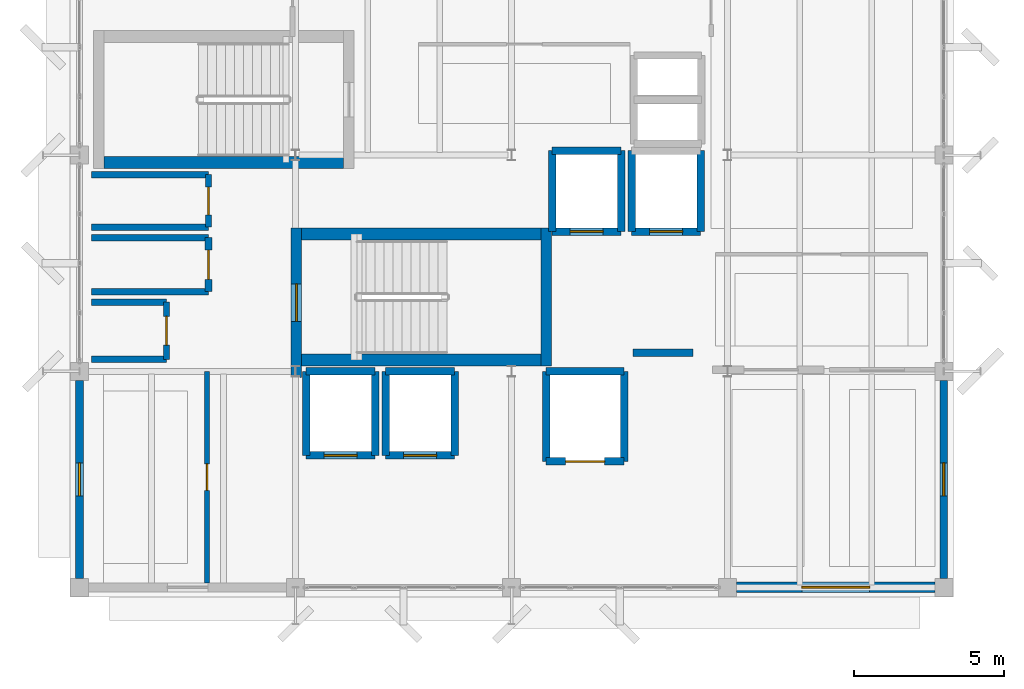
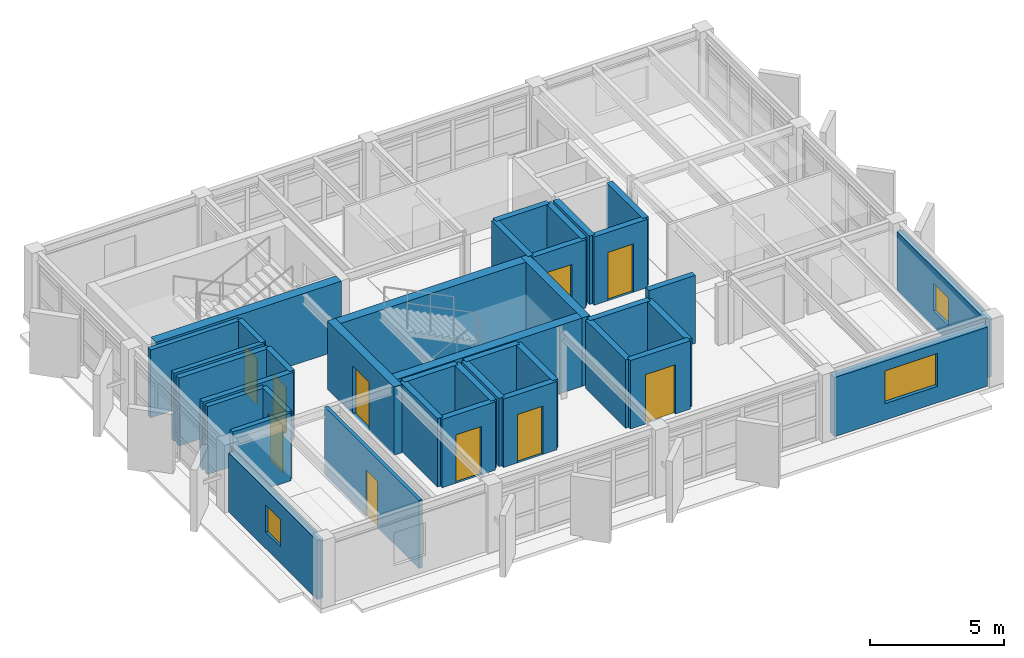
# One storey, part 11 of 15: 38 walls, 10 doors, 3 windows, 13 openings.
"""IFC4 building model written with IfcOpenShell, lengths in metres."""

from ifc_helpers import new_model, si_unit, direction, frame, frame_2d, origin, place, context, subcontext, project, spatial, rectangle, extrude, material, layer, layer_set, type_object, element, fill, save


model = new_model("IFC4")

# Units and contexts
model_context = context("Model", 3, precision=1e-05, world=origin(), true_north=direction((0.0, 1.0)))
body_context = subcontext(model_context, "Body", "Model", "MODEL_VIEW")
ifc_project = project(units=[si_unit("LENGTHUNIT", "METRE"), si_unit("AREAUNIT", "SQUARE_METRE"), si_unit("VOLUMEUNIT", "CUBIC_METRE"), si_unit("PLANEANGLEUNIT", "RADIAN"), si_unit("MASSUNIT", "GRAM", prefix="KILO")], contexts=[model_context])

# Site, building, storey
site_placement = place(None, origin())
site = spatial("IfcSite", under=ifc_project, at=site_placement, CompositionType="ELEMENT")
building_placement = place(site_placement, origin())
building = spatial("IfcBuilding", under=site, at=building_placement, Name="Kandorven Conservatory and Botanical Research Centre", CompositionType="ELEMENT")
storey_placement = place(building_placement, frame((0.0, 0.0, 56.10009765625)))
storey = spatial("IfcBuildingStorey", under=building, at=storey_placement, Name="L14", CompositionType="ELEMENT", Elevation=56.10009765625)

# Walls
ifc_material_1 = material(Name="Concrete C40/50 (M50)", Category="concrete")
ifc_layer_1 = layer(ifc_material_1, 0.39990234375)
ifc_layer_set_1 = layer_set([ifc_layer_1], Name="Concrete C40/50 (M50)")
wall_type_1 = type_object("IfcWallType", Name="Wall_CW-RC-1", PredefinedType="SHEAR", material=ifc_layer_set_1)
for number, where, z_axis, x_axis, name in (
    (1, (13.39990234375, 13.574951171875, 0.0), (0.0, 0.0, 1.0), (1.0, 0.0, 0.0), "Core stair shear wall CW-RC-1 ST-T1 L14 side A"),
    (2, (13.39990234375, 17.77490234375, 0.0), (0.0, 0.0, 1.0), (1.0, 0.0, 0.0), "Core stair shear wall CW-RC-1 ST-T1 L14 side B"),
    (3, (14.800048828125, 20.155029296875, 0.0), (0.0, 0.0, 1.0), (-1.0, 0.0, 0.0), "Core stair shear wall CW-RC-1 ST-T2 L14 side B"),
):
    element("IfcWall", number, at=place(storey_placement, frame(where, z_axis=z_axis, x_axis=x_axis)), inside=storey, type_object=wall_type_1, Name=name, PredefinedType="SHEAR", context=body_context, shape_type="SweptSolid", body=[
        extrude(rectangle(XDim=7.97998046875, YDim=0.39990234375, at=frame_2d((3.989990234375, 0.0))), origin(), (0.0, 0.0, 1.0), 3.114990234375),
    ])

# Wall, opening, door
ifc_material_2 = material(Name="Concrete C40/50 (M50)", Category="concrete")
ifc_layer_2 = layer(ifc_material_2, 0.35009765625)
ifc_layer_set_2 = layer_set([ifc_layer_2], Name="Concrete C40/50 (M50)")
wall_type_2 = type_object("IfcWallType", Name="Wall_CW-RC-2", PredefinedType="SHEAR", material=ifc_layer_set_2)
wall_1_placement = place(storey_placement, frame((13.22509765625, 13.0, 0.0), z_axis=(0.0, 0.0, 1.0), x_axis=(0.0, 1.0, 0.0)))
wall_1 = element("IfcWall", 4, at=wall_1_placement, inside=storey, type_object=wall_type_2, Name="Core stair shear wall CW-RC-2 ST-T1 L14 entry", PredefinedType="SHEAR", context=body_context, shape_type="SweptSolid", body=[
    extrude(rectangle(XDim=4.969970703125, YDim=0.35009765625, at=frame_2d((2.48486328125, 0.0))), origin(), (0.0, 0.0, 1.0), 3.114990234375),
])
opening_1_placement = place(wall_1_placement, frame((1.860107421875, 0.0, 0.0)))
opening_1 = element("IfcOpeningElement", 5, at=opening_1_placement, cuts=wall_1, Name="Opening FD-1", PredefinedType="OPENING", context=body_context, shape_type="SweptSolid", body=[
    extrude(rectangle(XDim=1.25, YDim=2.199951171875, at=frame_2d((0.625, 1.10009765625))), frame((0.0, 0.18505859375, 0.0), z_axis=(0.0, -1.0, 0.0), x_axis=(1.0, 0.0, 0.0)), (0.0, 0.0, 1.0), 0.3701171875),
])
ifc_material_3 = material(Name="Galvanised hollow steel fire door assembly", Category="steel")
door_type_1 = type_object("IfcDoorType", Name="Door_FD-1", OperationType="NOTDEFINED", PredefinedType="DOOR", material=ifc_material_3)
door_1_placement = place(opening_1_placement, origin())
door_1 = element("IfcDoor", 6, at=door_1_placement, inside=storey, type_object=door_type_1, Name="Exit stair fire door FD-1 ST-T1 L14", OperationType="SINGLE_SWING_LEFT", OverallHeight=2.199951171875, OverallWidth=1.25, PredefinedType="DOOR", context=body_context, shape_type="SweptSolid", body=[
    extrude(rectangle(XDim=1.25, YDim=2.199951171875, at=frame_2d((0.625, 1.10009765625))), frame((0.0, 0.02490234375, 0.0), z_axis=(0.0, -1.0, 0.0), x_axis=(1.0, 0.0, 0.0)), (0.0, 0.0, 1.0), 0.050048828125),
])
fill(opening_1, door_1)

# Wall
wall_2_placement = place(storey_placement, frame((21.554931640625, 13.3798828125, 0.0), z_axis=(0.0, 0.0, 1.0), x_axis=(0.0, 1.0, 0.0)))
element("IfcWall", 7, at=wall_2_placement, inside=storey, type_object=wall_type_2, Name="Core stair shear wall CW-RC-2 ST-T1 L14 far", PredefinedType="SHEAR", context=body_context, shape_type="SweptSolid", body=[
    extrude(rectangle(XDim=4.590087890625, YDim=0.35009765625, at=frame_2d((2.294921875, 0.0))), origin(), (0.0, 0.0, 1.0), 3.114990234375),
])

# Wall, opening, door
wall_3_placement = place(storey_placement, frame((21.75, 17.85009765625, 0.0), z_axis=(0.0, 0.0, 1.0), x_axis=(1.0, 0.0, 0.0)))
wall_3 = element("IfcWall", 8, at=wall_3_placement, inside=storey, type_object=wall_type_2, Name="Lift shaft wall FFL-1 L14 S", PredefinedType="SHEAR", context=body_context, shape_type="SweptSolid", body=[
    extrude(rectangle(XDim=2.300048828125, YDim=0.25, at=frame_2d((1.14990234375, 0.0))), origin(), (0.0, 0.0, 1.0), 3.114990234375),
])
opening_2_placement = place(wall_3_placement, frame((0.60009765625, 0.0, 0.0)))
opening_2 = element("IfcOpeningElement", 9, at=opening_2_placement, cuts=wall_3, Name="Opening LD-01", PredefinedType="OPENING", context=body_context, shape_type="SweptSolid", body=[
    extrude(rectangle(XDim=1.10009765625, YDim=2.199951171875, at=frame_2d((0.550048828125, 1.10009765625))), frame((0.0, 0.135009765625, 0.0), z_axis=(0.0, -1.0, 0.0), x_axis=(1.0, 0.0, 0.0)), (0.0, 0.0, 1.0), 0.27001953125),
])
ifc_material_4 = material(Name="Anodised aluminium sliding landing door", Category="aluminium")
door_type_2 = type_object("IfcDoorType", Name="Door_LD-01", OperationType="DOUBLE_DOOR_SLIDING", PredefinedType="DOOR", material=ifc_material_4)
door_2_placement = place(opening_2_placement, origin())
door_2 = element("IfcDoor", 10, at=door_2_placement, inside=storey, type_object=door_type_2, Name="Lift landing sliding door LD-01 (FFL-1 L14)", OperationType="DOUBLE_DOOR_SLIDING", OverallHeight=2.199951171875, OverallWidth=1.10009765625, PredefinedType="DOOR", context=body_context, shape_type="SweptSolid", body=[
    extrude(rectangle(XDim=1.10009765625, YDim=2.199951171875, at=frame_2d((0.550048828125, 1.10009765625))), frame((0.0, 0.02490234375, 0.0), z_axis=(0.0, -1.0, 0.0), x_axis=(1.0, 0.0, 0.0)), (0.0, 0.0, 1.0), 0.050048828125),
])
fill(opening_2, door_2)

# Walls
wall_4_placement = place(storey_placement, frame((21.75, 20.550048828125, 0.0), z_axis=(0.0, 0.0, 1.0), x_axis=(1.0, 0.0, 0.0)))
element("IfcWall", 11, at=wall_4_placement, inside=storey, type_object=wall_type_2, Name="Lift shaft wall FFL-1 L14 N", PredefinedType="SHEAR", context=body_context, shape_type="SweptSolid", body=[
    extrude(rectangle(XDim=2.300048828125, YDim=0.25, at=frame_2d((1.14990234375, 0.0))), origin(), (0.0, 0.0, 1.0), 3.114990234375),
])
for number, where, z_axis, x_axis, name in (
    (12, (21.75, 17.85009765625, 0.0), (0.0, 0.0, 1.0), (0.0, 1.0, 0.0), "Lift shaft wall FFL-1 L14 W"),
    (13, (24.050048828125, 17.85009765625, 0.0), (0.0, 0.0, 1.0), (0.0, 1.0, 0.0), "Lift shaft wall FFL-1 L14 E"),
):
    element("IfcWall", number, at=place(storey_placement, frame(where, z_axis=z_axis, x_axis=x_axis)), inside=storey, type_object=wall_type_2, Name=name, PredefinedType="SHEAR", context=body_context, shape_type="SweptSolid", body=[
        extrude(rectangle(XDim=2.699951171875, YDim=0.25, at=frame_2d((1.35009765625, 0.0))), origin(), (0.0, 0.0, 1.0), 3.114990234375),
    ])

# Wall, opening, door
wall_5_placement = place(storey_placement, frame((24.39990234375, 17.85009765625, 0.0), z_axis=(0.0, 0.0, 1.0), x_axis=(1.0, 0.0, 0.0)))
wall_5 = element("IfcWall", 14, at=wall_5_placement, inside=storey, type_object=wall_type_2, Name="Lift shaft wall FFL-2 L14 S", PredefinedType="SHEAR", context=body_context, shape_type="SweptSolid", body=[
    extrude(rectangle(XDim=2.300048828125, YDim=0.25, at=frame_2d((1.14990234375, 0.0))), origin(), (0.0, 0.0, 1.0), 3.114990234375),
])
opening_3_placement = place(wall_5_placement, frame((0.60009765625, 0.0, 0.0)))
opening_3 = element("IfcOpeningElement", 15, at=opening_3_placement, cuts=wall_5, Name="Opening LD-01", PredefinedType="OPENING", context=body_context, shape_type="SweptSolid", body=[
    extrude(rectangle(XDim=1.10009765625, YDim=2.199951171875, at=frame_2d((0.550048828125, 1.10009765625))), frame((0.0, 0.135009765625, 0.0), z_axis=(0.0, -1.0, 0.0), x_axis=(1.0, 0.0, 0.0)), (0.0, 0.0, 1.0), 0.27001953125),
])
door_3_placement = place(opening_3_placement, origin())
door_3 = element("IfcDoor", 16, at=door_3_placement, inside=storey, type_object=door_type_2, Name="Lift landing sliding door LD-01 (FFL-2 L14)", OperationType="DOUBLE_DOOR_SLIDING", OverallHeight=2.199951171875, OverallWidth=1.10009765625, PredefinedType="DOOR", context=body_context, shape_type="SweptSolid", body=[
    extrude(rectangle(XDim=1.10009765625, YDim=2.199951171875, at=frame_2d((0.550048828125, 1.10009765625))), frame((0.0, 0.02490234375, 0.0), z_axis=(0.0, -1.0, 0.0), x_axis=(1.0, 0.0, 0.0)), (0.0, 0.0, 1.0), 0.050048828125),
])
fill(opening_3, door_3)

# Walls
for number, where, z_axis, x_axis, name in (
    (17, (24.39990234375, 17.85009765625, 0.0), (0.0, 0.0, 1.0), (0.0, 1.0, 0.0), "Lift shaft wall FFL-2 L14 W"),
    (18, (26.699951171875, 17.85009765625, 0.0), (0.0, 0.0, 1.0), (0.0, 1.0, 0.0), "Lift shaft wall FFL-2 L14 E"),
):
    element("IfcWall", number, at=place(storey_placement, frame(where, z_axis=z_axis, x_axis=x_axis)), inside=storey, type_object=wall_type_2, Name=name, PredefinedType="SHEAR", context=body_context, shape_type="SweptSolid", body=[
        extrude(rectangle(XDim=2.699951171875, YDim=0.25, at=frame_2d((1.35009765625, 0.0))), origin(), (0.0, 0.0, 1.0), 3.114990234375),
    ])

# Wall, opening, door
wall_6_placement = place(storey_placement, frame((13.550048828125, 10.39990234375, 0.0), z_axis=(0.0, 0.0, 1.0), x_axis=(1.0, 0.0, 0.0)))
wall_6 = element("IfcWall", 19, at=wall_6_placement, inside=storey, type_object=wall_type_2, Name="Lift shaft wall PL-1 L14 S", PredefinedType="SHEAR", context=body_context, shape_type="SweptSolid", body=[
    extrude(rectangle(XDim=2.300048828125, YDim=0.25, at=frame_2d((1.14990234375, 0.0))), origin(), (0.0, 0.0, 1.0), 3.114990234375),
])
opening_4_placement = place(wall_6_placement, frame((0.60009765625, 0.0, 0.0)))
opening_4 = element("IfcOpeningElement", 20, at=opening_4_placement, cuts=wall_6, Name="Opening LD-01", PredefinedType="OPENING", context=body_context, shape_type="SweptSolid", body=[
    extrude(rectangle(XDim=1.10009765625, YDim=2.199951171875, at=frame_2d((0.550048828125, 1.10009765625))), frame((0.0, 0.135009765625, 0.0), z_axis=(0.0, -1.0, 0.0), x_axis=(1.0, 0.0, 0.0)), (0.0, 0.0, 1.0), 0.27001953125),
])
door_4_placement = place(opening_4_placement, origin())
door_4 = element("IfcDoor", 21, at=door_4_placement, inside=storey, type_object=door_type_2, Name="Lift landing sliding door LD-01 (PL-1 L14)", OperationType="DOUBLE_DOOR_SLIDING", OverallHeight=2.199951171875, OverallWidth=1.10009765625, PredefinedType="DOOR", context=body_context, shape_type="SweptSolid", body=[
    extrude(rectangle(XDim=1.10009765625, YDim=2.199951171875, at=frame_2d((0.550048828125, 1.10009765625))), frame((0.0, 0.02490234375, 0.0), z_axis=(0.0, -1.0, 0.0), x_axis=(1.0, 0.0, 0.0)), (0.0, 0.0, 1.0), 0.050048828125),
])
fill(opening_4, door_4)

# Walls
wall_7_placement = place(storey_placement, frame((13.550048828125, 13.199951171875, 0.0), z_axis=(0.0, 0.0, 1.0), x_axis=(1.0, 0.0, 0.0)))
element("IfcWall", 22, at=wall_7_placement, inside=storey, type_object=wall_type_2, Name="Lift shaft wall PL-1 L14 N", PredefinedType="SHEAR", context=body_context, shape_type="SweptSolid", body=[
    extrude(rectangle(XDim=2.300048828125, YDim=0.25, at=frame_2d((1.14990234375, 0.0))), origin(), (0.0, 0.0, 1.0), 3.114990234375),
])
for number, where, z_axis, x_axis, name in (
    (23, (13.550048828125, 10.39990234375, 0.0), (0.0, 0.0, 1.0), (0.0, 1.0, 0.0), "Lift shaft wall PL-1 L14 W"),
    (24, (15.85009765625, 10.39990234375, 0.0), (0.0, 0.0, 1.0), (0.0, 1.0, 0.0), "Lift shaft wall PL-1 L14 E"),
):
    element("IfcWall", number, at=place(storey_placement, frame(where, z_axis=z_axis, x_axis=x_axis)), inside=storey, type_object=wall_type_2, Name=name, PredefinedType="SHEAR", context=body_context, shape_type="SweptSolid", body=[
        extrude(rectangle(XDim=2.800048828125, YDim=0.25, at=frame_2d((1.39990234375, 0.0))), origin(), (0.0, 0.0, 1.0), 3.114990234375),
    ])

# Wall, opening, door
wall_8_placement = place(storey_placement, frame((16.199951171875, 10.39990234375, 0.0), z_axis=(0.0, 0.0, 1.0), x_axis=(1.0, 0.0, 0.0)))
wall_8 = element("IfcWall", 25, at=wall_8_placement, inside=storey, type_object=wall_type_2, Name="Lift shaft wall PL-2 L14 S", PredefinedType="SHEAR", context=body_context, shape_type="SweptSolid", body=[
    extrude(rectangle(XDim=2.300048828125, YDim=0.25, at=frame_2d((1.14990234375, 0.0))), origin(), (0.0, 0.0, 1.0), 3.114990234375),
])
opening_5_placement = place(wall_8_placement, frame((0.60009765625, 0.0, 0.0)))
opening_5 = element("IfcOpeningElement", 26, at=opening_5_placement, cuts=wall_8, Name="Opening LD-01", PredefinedType="OPENING", context=body_context, shape_type="SweptSolid", body=[
    extrude(rectangle(XDim=1.10009765625, YDim=2.199951171875, at=frame_2d((0.550048828125, 1.10009765625))), frame((0.0, 0.135009765625, 0.0), z_axis=(0.0, -1.0, 0.0), x_axis=(1.0, 0.0, 0.0)), (0.0, 0.0, 1.0), 0.27001953125),
])
door_5_placement = place(opening_5_placement, origin())
door_5 = element("IfcDoor", 27, at=door_5_placement, inside=storey, type_object=door_type_2, Name="Lift landing sliding door LD-01 (PL-2 L14)", OperationType="DOUBLE_DOOR_SLIDING", OverallHeight=2.199951171875, OverallWidth=1.10009765625, PredefinedType="DOOR", context=body_context, shape_type="SweptSolid", body=[
    extrude(rectangle(XDim=1.10009765625, YDim=2.199951171875, at=frame_2d((0.550048828125, 1.10009765625))), frame((0.0, 0.02490234375, 0.0), z_axis=(0.0, -1.0, 0.0), x_axis=(1.0, 0.0, 0.0)), (0.0, 0.0, 1.0), 0.050048828125),
])
fill(opening_5, door_5)

# Walls
wall_9_placement = place(storey_placement, frame((16.199951171875, 13.199951171875, 0.0), z_axis=(0.0, 0.0, 1.0), x_axis=(1.0, 0.0, 0.0)))
element("IfcWall", 28, at=wall_9_placement, inside=storey, type_object=wall_type_2, Name="Lift shaft wall PL-2 L14 N", PredefinedType="SHEAR", context=body_context, shape_type="SweptSolid", body=[
    extrude(rectangle(XDim=2.300048828125, YDim=0.25, at=frame_2d((1.14990234375, 0.0))), origin(), (0.0, 0.0, 1.0), 3.114990234375),
])
for number, where, z_axis, x_axis, name in (
    (29, (16.199951171875, 10.39990234375, 0.0), (0.0, 0.0, 1.0), (0.0, 1.0, 0.0), "Lift shaft wall PL-2 L14 W"),
    (30, (18.5, 10.39990234375, 0.0), (0.0, 0.0, 1.0), (0.0, 1.0, 0.0), "Lift shaft wall PL-2 L14 E"),
):
    element("IfcWall", number, at=place(storey_placement, frame(where, z_axis=z_axis, x_axis=x_axis)), inside=storey, type_object=wall_type_2, Name=name, PredefinedType="SHEAR", context=body_context, shape_type="SweptSolid", body=[
        extrude(rectangle(XDim=2.800048828125, YDim=0.25, at=frame_2d((1.39990234375, 0.0))), origin(), (0.0, 0.0, 1.0), 3.114990234375),
    ])

# Wall, opening, door
wall_10_placement = place(storey_placement, frame((21.550048828125, 10.199951171875, 0.0), z_axis=(0.0, 0.0, 1.0), x_axis=(1.0, 0.0, 0.0)))
wall_10 = element("IfcWall", 31, at=wall_10_placement, inside=storey, type_object=wall_type_2, Name="Lift shaft wall GL-1 L14 S", PredefinedType="SHEAR", context=body_context, shape_type="SweptSolid", body=[
    extrude(rectangle(XDim=2.599853515625, YDim=0.25, at=frame_2d((1.2998046875, 0.0))), origin(), (0.0, 0.0, 1.0), 3.114990234375),
])
opening_6_placement = place(wall_10_placement, frame((0.64990234375, 0.0, 0.0)))
opening_6 = element("IfcOpeningElement", 32, at=opening_6_placement, cuts=wall_10, Name="Opening LD-02", PredefinedType="OPENING", context=body_context, shape_type="SweptSolid", body=[
    extrude(rectangle(XDim=1.300048828125, YDim=2.25, at=frame_2d((0.64990234375, 1.125))), frame((0.0, 0.135009765625, 0.0), z_axis=(0.0, -1.0, 0.0), x_axis=(1.0, 0.0, 0.0)), (0.0, 0.0, 1.0), 0.27001953125),
])
ifc_material_5 = material(Name="Anodised aluminium sliding landing door", Category="aluminium")
door_type_3 = type_object("IfcDoorType", Name="Door_LD-02", OperationType="DOUBLE_DOOR_SLIDING", PredefinedType="DOOR", material=ifc_material_5)
door_6_placement = place(opening_6_placement, origin())
door_6 = element("IfcDoor", 33, at=door_6_placement, inside=storey, type_object=door_type_3, Name="Lift landing sliding door LD-02 (GL-1 L14)", OperationType="DOUBLE_DOOR_SLIDING", OverallHeight=2.25, OverallWidth=1.300048828125, PredefinedType="DOOR", context=body_context, shape_type="SweptSolid", body=[
    extrude(rectangle(XDim=1.300048828125, YDim=2.25, at=frame_2d((0.64990234375, 1.125))), frame((0.0, 0.02490234375, 0.0), z_axis=(0.0, -1.0, 0.0), x_axis=(1.0, 0.0, 0.0)), (0.0, 0.0, 1.0), 0.050048828125),
])
fill(opening_6, door_6)

# Walls
wall_11_placement = place(storey_placement, frame((21.550048828125, 13.199951171875, 0.0), z_axis=(0.0, 0.0, 1.0), x_axis=(1.0, 0.0, 0.0)))
element("IfcWall", 34, at=wall_11_placement, inside=storey, type_object=wall_type_2, Name="Lift shaft wall GL-1 L14 N", PredefinedType="SHEAR", context=body_context, shape_type="SweptSolid", body=[
    extrude(rectangle(XDim=2.599853515625, YDim=0.25, at=frame_2d((1.2998046875, 0.0))), origin(), (0.0, 0.0, 1.0), 3.114990234375),
])
for number, where, z_axis, x_axis, name in (
    (35, (21.550048828125, 10.199951171875, 0.0), (0.0, 0.0, 1.0), (0.0, 1.0, 0.0), "Lift shaft wall GL-1 L14 W"),
    (36, (24.14990234375, 10.199951171875, 0.0), (0.0, 0.0, 1.0), (0.0, 1.0, 0.0), "Lift shaft wall GL-1 L14 E"),
):
    element("IfcWall", number, at=place(storey_placement, frame(where, z_axis=z_axis, x_axis=x_axis)), inside=storey, type_object=wall_type_2, Name=name, PredefinedType="SHEAR", context=body_context, shape_type="SweptSolid", body=[
        extrude(rectangle(XDim=3.0, YDim=0.25, at=frame_2d((1.5, 0.0))), origin(), (0.0, 0.0, 1.0), 3.114990234375),
    ])

# Wall, opening, window
ifc_material_6 = material(Name="Concrete C40/50 (M50)", Category="concrete")
ifc_layer_3 = layer(ifc_material_6, 0.360107421875)
ifc_layer_set_3 = layer_set([ifc_layer_3], Name="Concrete C40/50 (M50)")
wall_type_3 = type_object("IfcWallType", Name="Wall_EW-01", PredefinedType="STANDARD", material=ifc_layer_set_3)
wall_12_placement = place(storey_placement, frame((27.89990234375, 6.0, 0.0), z_axis=(0.0, 0.0, 1.0), x_axis=(1.0, 0.0, 0.0)))
wall_12 = element("IfcWall", 37, at=wall_12_placement, inside=storey, type_object=wall_type_3, Name="Tower concrete facade wall EW-01 S L14", PredefinedType="STANDARD", context=body_context, shape_type="SweptSolid", body=[
    extrude(rectangle(XDim=6.60009765625, YDim=0.360107421875, at=frame_2d((3.300048828125, 0.0))), origin(), (0.0, 0.0, 1.0), 2.69482421875),
])
opening_7_placement = place(wall_12_placement, frame((2.175048828125, 0.0, 0.75)))
opening_7 = element("IfcOpeningElement", 38, at=opening_7_placement, cuts=wall_12, Name="Opening W-43", PredefinedType="OPENING", context=body_context, shape_type="SweptSolid", body=[
    extrude(rectangle(XDim=2.25, YDim=1.5, at=frame_2d((1.125, 0.75))), frame((0.0, 0.18994140625, 0.0), z_axis=(0.0, -1.0, 0.0), x_axis=(1.0, 0.0, 0.0)), (0.0, 0.0, 1.0), 0.380126953125),
])
ifc_material_7 = material(Name="Double-glazed solar-control low-E glass", Category="glass")
window_type_1 = type_object("IfcWindowType", Name="Win_W-43", PartitioningType="DOUBLE_PANEL_VERTICAL", PredefinedType="WINDOW", material=ifc_material_7)
window_1_placement = place(opening_7_placement, origin())
window_1 = element("IfcWindow", 39, at=window_1_placement, inside=storey, type_object=window_type_1, Name="Tower recessed solar window W-43", OverallHeight=1.5, OverallWidth=2.25, PartitioningType="SINGLE_PANEL", PredefinedType="WINDOW", context=body_context, shape_type="SweptSolid", body=[
    extrude(rectangle(XDim=2.25, YDim=1.5, at=frame_2d((1.125, 0.75))), frame((0.0, 0.030029296875, 0.0), z_axis=(0.0, -1.0, 0.0), x_axis=(1.0, 0.0, 0.0)), (0.0, 0.0, 1.0), 0.06005859375),
])
fill(opening_7, window_1)

ifc_material_8 = material(Name="Concrete C32/40 (M40)", Category="concrete")
ifc_layer_4 = layer(ifc_material_8, 0.260009765625)
ifc_layer_set_4 = layer_set([ifc_layer_4], Name="Concrete C32/40 (M40)")
wall_type_4 = type_object("IfcWallType", Name="Wall_EW-06", PredefinedType="STANDARD", material=ifc_layer_set_4)
wall_13_placement = place(storey_placement, frame((6.0, 6.300048828125, 0.0), z_axis=(0.0, 0.0, 1.0), x_axis=(0.0, 1.0, 0.0)))
wall_13 = element("IfcWall", 40, at=wall_13_placement, inside=storey, type_object=wall_type_4, Name="Tower concrete facade wall EW-06 W L14", PredefinedType="STANDARD", context=body_context, shape_type="SweptSolid", body=[
    extrude(rectangle(XDim=6.599853515625, YDim=0.260009765625, at=frame_2d((3.2998046875, 0.0))), origin(), (0.0, 0.0, 1.0), 2.69482421875),
])
opening_8_placement = place(wall_13_placement, frame((2.75, 0.0, 0.75)))
opening_8 = element("IfcOpeningElement", 41, at=opening_8_placement, cuts=wall_13, Name="Opening W-45", PredefinedType="OPENING", context=body_context, shape_type="SweptSolid", body=[
    extrude(rectangle(XDim=1.10009765625, YDim=1.25, at=frame_2d((0.550048828125, 0.625))), frame((0.0, 0.139892578125, 0.0), z_axis=(0.0, -1.0, 0.0), x_axis=(1.0, 0.0, 0.0)), (0.0, 0.0, 1.0), 0.280029296875),
])
ifc_material_9 = material(Name="Double-glazed solar-control low-E glass", Category="glass")
window_type_2 = type_object("IfcWindowType", Name="Win_W-45", PartitioningType="DOUBLE_PANEL_VERTICAL", PredefinedType="WINDOW", material=ifc_material_9)
window_2_placement = place(opening_8_placement, origin())
window_2 = element("IfcWindow", 42, at=window_2_placement, inside=storey, type_object=window_type_2, Name="Tower recessed solar window W-45", OverallHeight=1.25, OverallWidth=1.10009765625, PartitioningType="SINGLE_PANEL", PredefinedType="WINDOW", context=body_context, shape_type="SweptSolid", body=[
    extrude(rectangle(XDim=1.10009765625, YDim=1.25, at=frame_2d((0.550048828125, 0.625))), frame((0.0, 0.030029296875, 0.0), z_axis=(0.0, -1.0, 0.0), x_axis=(1.0, 0.0, 0.0)), (0.0, 0.0, 1.0), 0.06005859375),
])
fill(opening_8, window_2)

wall_14_placement = place(storey_placement, frame((34.800048828125, 6.300048828125, 0.0), z_axis=(0.0, 0.0, 1.0), x_axis=(0.0, 1.0, 0.0)))
wall_14 = element("IfcWall", 43, at=wall_14_placement, inside=storey, type_object=wall_type_4, Name="Tower concrete facade wall EW-06 E L14", PredefinedType="STANDARD", context=body_context, shape_type="SweptSolid", body=[
    extrude(rectangle(XDim=6.599853515625, YDim=0.260009765625, at=frame_2d((3.2998046875, 0.0))), origin(), (0.0, 0.0, 1.0), 2.69482421875),
])
opening_9_placement = place(wall_14_placement, frame((2.75, 0.0, 0.75)))
opening_9 = element("IfcOpeningElement", 44, at=opening_9_placement, cuts=wall_14, Name="Opening W-45", PredefinedType="OPENING", context=body_context, shape_type="SweptSolid", body=[
    extrude(rectangle(XDim=1.10009765625, YDim=1.25, at=frame_2d((0.550048828125, 0.625))), frame((0.0, 0.139892578125, 0.0), z_axis=(0.0, -1.0, 0.0), x_axis=(1.0, 0.0, 0.0)), (0.0, 0.0, 1.0), 0.280029296875),
])
window_3_placement = place(opening_9_placement, origin())
window_3 = element("IfcWindow", 45, at=window_3_placement, inside=storey, type_object=window_type_2, Name="Tower recessed solar window W-45", OverallHeight=1.25, OverallWidth=1.10009765625, PartitioningType="SINGLE_PANEL", PredefinedType="WINDOW", context=body_context, shape_type="SweptSolid", body=[
    extrude(rectangle(XDim=1.10009765625, YDim=1.25, at=frame_2d((0.550048828125, 0.625))), frame((0.0, 0.030029296875, 0.0), z_axis=(0.0, -1.0, 0.0), x_axis=(1.0, 0.0, 0.0)), (0.0, 0.0, 1.0), 0.06005859375),
])
fill(opening_9, window_3)

# Wall, opening, door
ifc_material_10 = material(Name="Autoclaved aerated concrete blockwork masonry", Category="masonry")
ifc_layer_5 = layer(ifc_material_10, 0.157958984375)
ifc_layer_set_5 = layer_set([ifc_layer_5], Name="Autoclaved aerated concrete blockwork masonry")
wall_type_5 = type_object("IfcWallType", Name="Wall_IW-16", PredefinedType="PARTITIONING", material=ifc_layer_set_5)
wall_15_placement = place(storey_placement, frame((10.25, 6.14990234375, 0.0), z_axis=(0.0, 0.0, 1.0), x_axis=(0.0, 1.0, 0.0)))
wall_15 = element("IfcWall", 46, at=wall_15_placement, inside=storey, type_object=wall_type_5, Name="Interior partition wall IW-16 (Herbarium Research Seminar Room L14)", PredefinedType="PARTITIONING", context=body_context, shape_type="SweptSolid", body=[
    extrude(rectangle(XDim=7.050048828125, YDim=0.157958984375, at=frame_2d((3.52490234375, 0.0))), origin(), (0.0, 0.0, 1.0), 3.094970703125),
])
opening_10_placement = place(wall_15_placement, frame((3.0849609375, 0.0, 0.0)))
opening_10 = element("IfcOpeningElement", 47, at=opening_10_placement, cuts=wall_15, Name="Opening D-19", PredefinedType="OPENING", context=body_context, shape_type="SweptSolid", body=[
    extrude(rectangle(XDim=0.8798828125, YDim=2.1201171875, at=frame_2d((0.43994140625, 1.06005859375))), frame((0.0, 0.0888671875, 0.0), z_axis=(0.0, -1.0, 0.0), x_axis=(1.0, 0.0, 0.0)), (0.0, 0.0, 1.0), 0.177978515625),
])
ifc_material_11 = material(Name="Solid core acoustic teak-veneered timber leaf", Category="wood")
door_type_4 = type_object("IfcDoorType", Name="Door_D-19", OperationType="NOTDEFINED", PredefinedType="DOOR", material=ifc_material_11)
door_7_placement = place(opening_10_placement, origin())
door_7 = element("IfcDoor", 48, at=door_7_placement, inside=storey, type_object=door_type_4, Name="Interior door D-19 to Herbarium Research Seminar Room L14", OperationType="SINGLE_SWING_LEFT", OverallHeight=2.1201171875, OverallWidth=0.8798828125, PredefinedType="DOOR", context=body_context, shape_type="SweptSolid", body=[
    extrude(rectangle(XDim=0.8798828125, YDim=2.1201171875, at=frame_2d((0.43994140625, 1.06005859375))), frame((0.0, 0.02490234375, 0.0), z_axis=(0.0, -1.0, 0.0), x_axis=(1.0, 0.0, 0.0)), (0.0, 0.0, 1.0), 0.050048828125),
])
fill(opening_10, door_7)

# Wall
ifc_material_12 = material(Name="Concrete C32/40 (M40)", Category="concrete")
ifc_layer_6 = layer(ifc_material_12, 0.25)
ifc_layer_set_6 = layer_set([ifc_layer_6], Name="Concrete C32/40 (M40)")
wall_type_6 = type_object("IfcWallType", Name="Wall_IW-FR-1", PredefinedType="SOLIDWALL", material=ifc_layer_set_6)
wall_16_placement = place(storey_placement, frame((24.449951171875, 13.820068359375, 0.0), z_axis=(0.0, 0.0, 1.0), x_axis=(1.0, 0.0, 0.0)))
element("IfcWall", 49, at=wall_16_placement, inside=storey, type_object=wall_type_6, Name="Interior fire partition wall IW-FR-1 (Firefighting Lift Lobby L14)", PredefinedType="SOLIDWALL", context=body_context, shape_type="SweptSolid", body=[
    extrude(rectangle(XDim=2.0, YDim=0.25, at=frame_2d((1.0, 0.0))), origin(), (0.0, 0.0, 1.0), 3.094970703125),
])

# Wall, opening, door
ifc_material_13 = material(Name="Autoclaved aerated concrete blockwork masonry", Category="masonry")
ifc_layer_7 = layer(ifc_material_13, 0.22998046875)
ifc_layer_set_7 = layer_set([ifc_layer_7], Name="Autoclaved aerated concrete blockwork masonry")
wall_type_7 = type_object("IfcWallType", Name="Wall_PW-PL-1", PredefinedType="PLUMBINGWALL", material=ifc_layer_set_7)
wall_17_placement = place(storey_placement, frame((10.300048828125, 15.85009765625, 0.0), z_axis=(0.0, 0.0, 1.0), x_axis=(0.0, 1.0, 0.0)))
wall_17 = element("IfcWall", 50, at=wall_17_placement, inside=storey, type_object=wall_type_7, Name="Interior partition wall PW-PL-1 (Staff Female WC L14)", PredefinedType="PLUMBINGWALL", context=body_context, shape_type="SweptSolid", body=[
    extrude(rectangle(XDim=1.7998046875, YDim=0.22998046875, at=frame_2d((0.89990234375, 0.0))), origin(), (0.0, 0.0, 1.0), 3.094970703125),
])
opening_11_placement = place(wall_17_placement, frame((0.409912109375, 0.0, 0.0)))
opening_11 = element("IfcOpeningElement", 51, at=opening_11_placement, cuts=wall_17, Name="Opening D-12", PredefinedType="OPENING", context=body_context, shape_type="SweptSolid", body=[
    extrude(rectangle(XDim=0.97998046875, YDim=2.10009765625, at=frame_2d((0.489990234375, 1.050048828125))), frame((0.0, 0.125, 0.0), z_axis=(0.0, -1.0, 0.0), x_axis=(1.0, 0.0, 0.0)), (0.0, 0.0, 1.0), 0.25),
])
ifc_material_14 = material(Name="Solid core acoustic teak-veneered timber leaf", Category="wood")
door_type_5 = type_object("IfcDoorType", Name="Door_D-12", OperationType="NOTDEFINED", PredefinedType="DOOR", material=ifc_material_14)
door_8_placement = place(opening_11_placement, frame((0.97998046875, 0.0, 0.0), z_axis=(0.0, 0.0, 1.0), x_axis=(-1.0, 0.0, 0.0)))
door_8 = element("IfcDoor", 52, at=door_8_placement, inside=storey, type_object=door_type_5, Name="Interior door D-12 to Staff Female WC L14", OperationType="SINGLE_SWING_RIGHT", OverallHeight=2.10009765625, OverallWidth=0.97998046875, PredefinedType="DOOR", context=body_context, shape_type="SweptSolid", body=[
    extrude(rectangle(XDim=0.97998046875, YDim=2.10009765625, at=frame_2d((0.489990234375, 1.050048828125))), frame((0.0, 0.02490234375, 0.0), z_axis=(0.0, -1.0, 0.0), x_axis=(1.0, 0.0, 0.0)), (0.0, 0.0, 1.0), 0.050048828125),
])
fill(opening_11, door_8)

# Walls
for number, where, z_axis, x_axis, name in (
    (53, (6.39990234375, 15.85009765625, 0.0), (0.0, 0.0, 1.0), (1.0, 0.0, 0.0), "Sanitary enclosure wall PW-PL-1 (Staff Female WC L14 S)"),
    (54, (6.39990234375, 17.64990234375, 0.0), (0.0, 0.0, 1.0), (1.0, 0.0, 0.0), "Sanitary enclosure wall PW-PL-1 (Staff Female WC L14 N)"),
):
    element("IfcWall", number, at=place(storey_placement, frame(where, z_axis=z_axis, x_axis=x_axis)), inside=storey, type_object=wall_type_7, Name=name, PredefinedType="PLUMBINGWALL", context=body_context, shape_type="SweptSolid", body=[
        extrude(rectangle(XDim=3.900146484375, YDim=0.22998046875, at=frame_2d((1.9501953125, 0.0))), origin(), (0.0, 0.0, 1.0), 3.094970703125),
    ])

# Wall, opening, door
ifc_material_15 = material(Name="Autoclaved aerated concrete blockwork masonry", Category="masonry")
ifc_layer_8 = layer(ifc_material_15, 0.205078125)
ifc_layer_set_8 = layer_set([ifc_layer_8], Name="Autoclaved aerated concrete blockwork masonry")
wall_type_8 = type_object("IfcWallType", Name="Wall_PW-PL-2", PredefinedType="PLUMBINGWALL", material=ifc_layer_set_8)
wall_18_placement = place(storey_placement, frame((8.89990234375, 13.60009765625, 0.0), z_axis=(0.0, 0.0, 1.0), x_axis=(0.0, 1.0, 0.0)))
wall_18 = element("IfcWall", 55, at=wall_18_placement, inside=storey, type_object=wall_type_8, Name="Interior partition wall PW-PL-2 (Accessible WC L14)", PredefinedType="PLUMBINGWALL", context=body_context, shape_type="SweptSolid", body=[
    extrude(rectangle(XDim=1.89990234375, YDim=0.205078125, at=frame_2d((0.949951171875, 0.0))), origin(), (0.0, 0.0, 1.0), 3.094970703125),
])
opening_12_placement = place(wall_18_placement, frame((0.47509765625, 0.0, 0.0)))
opening_12 = element("IfcOpeningElement", 56, at=opening_12_placement, cuts=wall_18, Name="Opening D-01", PredefinedType="OPENING", context=body_context, shape_type="SweptSolid", body=[
    extrude(rectangle(XDim=0.949951171875, YDim=2.14990234375, at=frame_2d((0.47509765625, 1.074951171875))), frame((0.0, 0.112548828125, 0.0), z_axis=(0.0, -1.0, 0.0), x_axis=(1.0, 0.0, 0.0)), (0.0, 0.0, 1.0), 0.22509765625),
])
ifc_material_16 = material(Name="Solid core acoustic teak-veneered timber leaf", Category="wood")
door_type_6 = type_object("IfcDoorType", Name="Door_D-01", OperationType="NOTDEFINED", PredefinedType="DOOR", material=ifc_material_16)
door_9_placement = place(opening_12_placement, origin())
door_9 = element("IfcDoor", 57, at=door_9_placement, inside=storey, type_object=door_type_6, Name="Interior door D-01 to Accessible WC L14", OperationType="SINGLE_SWING_LEFT", OverallHeight=2.14990234375, OverallWidth=0.949951171875, PredefinedType="DOOR", context=body_context, shape_type="SweptSolid", body=[
    extrude(rectangle(XDim=0.949951171875, YDim=2.14990234375, at=frame_2d((0.47509765625, 1.074951171875))), frame((0.0, 0.02490234375, 0.0), z_axis=(0.0, -1.0, 0.0), x_axis=(1.0, 0.0, 0.0)), (0.0, 0.0, 1.0), 0.050048828125),
])
fill(opening_12, door_9)

# Walls
for number, where, z_axis, x_axis, name in (
    (58, (6.39990234375, 13.60009765625, 0.0), (0.0, 0.0, 1.0), (1.0, 0.0, 0.0), "Sanitary enclosure wall PW-PL-2 (Accessible WC L14 S)"),
    (59, (6.39990234375, 15.5, 0.0), (0.0, 0.0, 1.0), (1.0, 0.0, 0.0), "Sanitary enclosure wall PW-PL-2 (Accessible WC L14 N)"),
):
    element("IfcWall", number, at=place(storey_placement, frame(where, z_axis=z_axis, x_axis=x_axis)), inside=storey, type_object=wall_type_8, Name=name, PredefinedType="PLUMBINGWALL", context=body_context, shape_type="SweptSolid", body=[
        extrude(rectangle(XDim=2.5, YDim=0.205078125, at=frame_2d((1.25, 0.0))), origin(), (0.0, 0.0, 1.0), 3.094970703125),
    ])

# Wall, opening, door
wall_19_placement = place(storey_placement, frame((10.300048828125, 18.0, 0.0), z_axis=(0.0, 0.0, 1.0), x_axis=(0.0, 1.0, 0.0)))
wall_19 = element("IfcWall", 60, at=wall_19_placement, inside=storey, type_object=wall_type_8, Name="Interior partition wall PW-PL-2 (Staff Male WC L14)", PredefinedType="PLUMBINGWALL", context=body_context, shape_type="SweptSolid", body=[
    extrude(rectangle(XDim=1.75, YDim=0.205078125, at=frame_2d((0.875, 0.0))), origin(), (0.0, 0.0, 1.0), 3.094970703125),
])
opening_13_placement = place(wall_19_placement, frame((0.4150390625, 0.0, 0.0)))
opening_13 = element("IfcOpeningElement", 61, at=opening_13_placement, cuts=wall_19, Name="Opening D-11", PredefinedType="OPENING", context=body_context, shape_type="SweptSolid", body=[
    extrude(rectangle(XDim=0.919921875, YDim=2.10009765625, at=frame_2d((0.4599609375, 1.050048828125))), frame((0.0, 0.112548828125, 0.0), z_axis=(0.0, -1.0, 0.0), x_axis=(1.0, 0.0, 0.0)), (0.0, 0.0, 1.0), 0.22509765625),
])
ifc_material_17 = material(Name="Solid core acoustic teak-veneered timber leaf", Category="wood")
door_type_7 = type_object("IfcDoorType", Name="Door_D-11", OperationType="NOTDEFINED", PredefinedType="DOOR", material=ifc_material_17)
door_10_placement = place(opening_13_placement, origin())
door_10 = element("IfcDoor", 62, at=door_10_placement, inside=storey, type_object=door_type_7, Name="Interior door D-11 to Staff Male WC L14", OperationType="SINGLE_SWING_LEFT", OverallHeight=2.10009765625, OverallWidth=0.919921875, PredefinedType="DOOR", context=body_context, shape_type="SweptSolid", body=[
    extrude(rectangle(XDim=0.919921875, YDim=2.10009765625, at=frame_2d((0.4599609375, 1.050048828125))), frame((0.0, 0.02490234375, 0.0), z_axis=(0.0, -1.0, 0.0), x_axis=(1.0, 0.0, 0.0)), (0.0, 0.0, 1.0), 0.050048828125),
])
fill(opening_13, door_10)

# Walls
for number, where, z_axis, x_axis, name in (
    (63, (6.39990234375, 18.0, 0.0), (0.0, 0.0, 1.0), (1.0, 0.0, 0.0), "Sanitary enclosure wall PW-PL-2 (Staff Male WC L14 S)"),
    (64, (6.39990234375, 19.75, 0.0), (0.0, 0.0, 1.0), (1.0, 0.0, 0.0), "Sanitary enclosure wall PW-PL-2 (Staff Male WC L14 N)"),
):
    element("IfcWall", number, at=place(storey_placement, frame(where, z_axis=z_axis, x_axis=x_axis)), inside=storey, type_object=wall_type_8, Name=name, PredefinedType="PLUMBINGWALL", context=body_context, shape_type="SweptSolid", body=[
        extrude(rectangle(XDim=3.900146484375, YDim=0.205078125, at=frame_2d((1.9501953125, 0.0))), origin(), (0.0, 0.0, 1.0), 3.094970703125),
    ])

save(model, "model.ifc")
